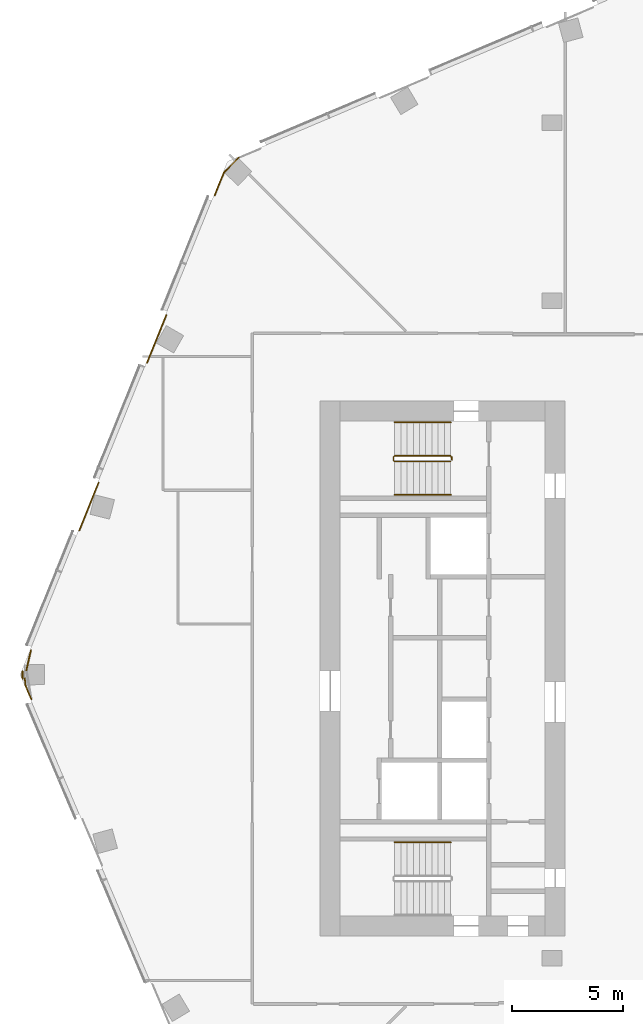
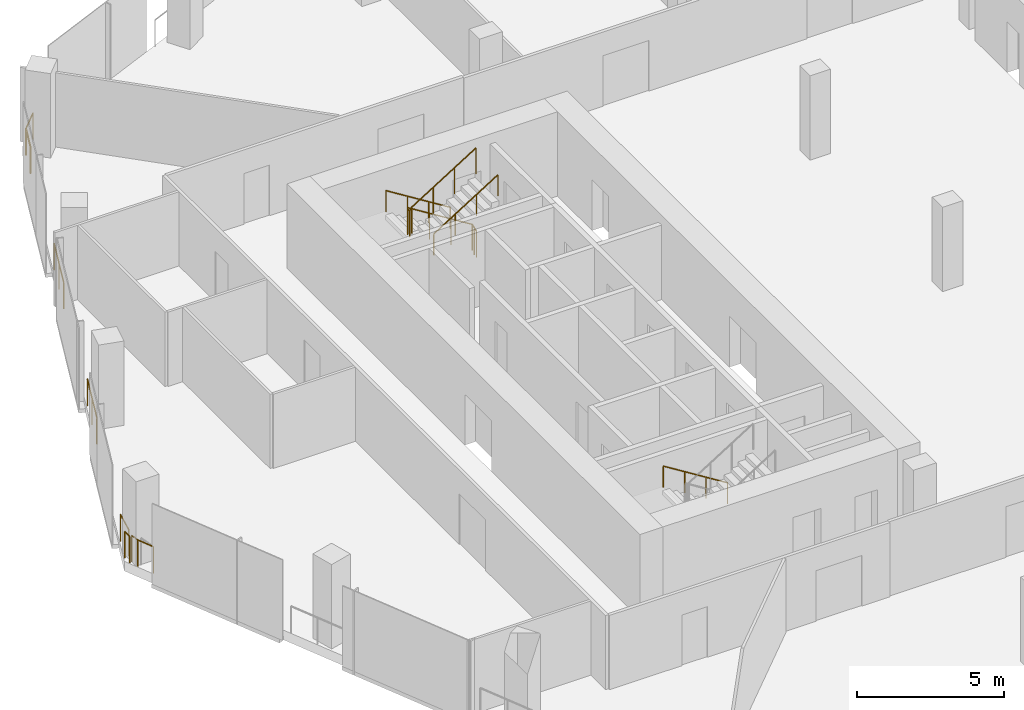
# One storey, part 24 of 26: 12 railings.
"""IFC4 building model written with IfcOpenShell, lengths in metres."""

from ifc_helpers import new_model, si_unit, direction, frame, origin, origin_2d, place, context, subcontext, project, spatial, circle, extrude, material, type_object, element, save


model = new_model("IFC4")

# Units and contexts
model_context = context("Model", 3, precision=1e-05, world=origin(), true_north=direction((0.0, 1.0)))
body_context = subcontext(model_context, "Body", "Model", "MODEL_VIEW")
ifc_project = project(units=[si_unit("LENGTHUNIT", "METRE"), si_unit("AREAUNIT", "SQUARE_METRE"), si_unit("VOLUMEUNIT", "CUBIC_METRE"), si_unit("PLANEANGLEUNIT", "RADIAN"), si_unit("MASSUNIT", "GRAM", prefix="KILO")], contexts=[model_context])

# Site, building, storey
site_placement = place(None, origin())
site = spatial("IfcSite", under=ifc_project, at=site_placement, CompositionType="ELEMENT")
building_placement = place(site_placement, origin())
building = spatial("IfcBuilding", under=site, at=building_placement, Name="Orlundy Tower", CompositionType="ELEMENT")
storey_placement = place(building_placement, frame((0.0, 0.0, 275.39990234375)))
storey = spatial("IfcBuildingStorey", under=building, at=storey_placement, Name="L73", CompositionType="ELEMENT", Elevation=275.39990234375)

# Railings
ifc_material_1 = material(Name="Steel balustrade", Category="steel")
railing_type_1 = type_object("IfcRailingType", Name="Stair Guard 1100", PredefinedType="GUARDRAIL", material=ifc_material_1)
railing_1_placement = place(storey_placement, frame((-13.090087890625, 9.5, 0.0)))
element("IfcRailing", 1, at=railing_1_placement, inside=storey, type_object=railing_type_1, Name="L73 ST-W1 stair guard 1", PredefinedType="GUARDRAIL", context=body_context, shape_type="SweptSolid", body=[
    extrude(circle(Radius=0.02392578125, at=origin_2d()), frame((0.0, 0.0, 1.076171875), z_axis=(0.0, -1.0, 0.0), x_axis=(1.0, 0.0, 0.0)), (0.0, 0.0, 1.0), 0.14990234375),
    extrude(circle(Radius=0.02392578125, at=origin_2d()), frame((0.0, -0.14990234375, 1.076171875), z_axis=(-0.18420542264, 0.739530593833, 0.647427882513), x_axis=(-0.970351222016, -0.241699205484, 0.0)), (0.0, 0.0, 1.0), 0.270263671875),
    extrude(circle(Radius=0.02392578125, at=origin_2d()), frame((-0.0498046875, 0.050048828125, 1.2509765625), z_axis=(-0.848007534815, 0.0, 0.529984170421), x_axis=(0.0, -1.0, 0.0)), (0.0, 0.0, 1.0), 2.9716796875),
    extrude(circle(Radius=0.02392578125, at=origin_2d()), frame((-2.56982421875, 0.050048828125, 2.826171875), z_axis=(-0.707106781187, -0.707106781187, 0.0), x_axis=(0.707106781187, -0.707106781187, 0.0)), (0.0, 0.0, 1.0), 0.07080078125),
    extrude(circle(Radius=0.02392578125, at=origin_2d()), frame((-2.619873046875, 0.0, 2.826171875), z_axis=(0.0, -1.0, 0.0), x_axis=(1.0, 0.0, 0.0)), (0.0, 0.0, 1.0), 0.14990234375),
    extrude(circle(Radius=0.02392578125, at=origin_2d()), frame((-2.619873046875, -0.14990234375, 2.826171875), z_axis=(0.265065253269, -0.265065253269, 0.927081885822), x_axis=(0.707106781187, 0.707106781187, 0.0)), (0.0, 0.0, 1.0), 0.188720703125),
    extrude(circle(Radius=0.02392578125, at=origin_2d()), frame((-2.56982421875, -0.199951171875, 3.0009765625), z_axis=(0.848007534815, 0.0, 0.529984170421), x_axis=(0.0, 1.0, 0.0)), (0.0, 0.0, 1.0), 2.9716796875),
    extrude(circle(Radius=0.02099609375, at=origin_2d()), origin(), (0.0, 0.0, 1.0), 1.052001953125),
    extrude(circle(Radius=0.02099609375, at=origin_2d()), frame((0.0, -0.14990234375, 0.0)), (0.0, 0.0, 1.0), 1.052001953125),
    extrude(circle(Radius=0.02099609375, at=origin_2d()), frame((-0.0498046875, 0.050048828125, 0.175048828125)), (0.0, 0.0, 1.0), 1.052001953125),
    extrude(circle(Radius=0.02099609375, at=origin_2d()), frame((-0.889892578125, 0.050048828125, 0.699951171875)), (0.0, 0.0, 1.0), 1.052001953125),
    extrude(circle(Radius=0.02099609375, at=origin_2d()), frame((-1.729736328125, 0.050048828125, 1.22509765625)), (0.0, 0.0, 1.0), 1.052001953125),
    extrude(circle(Radius=0.02099609375, at=origin_2d()), frame((-2.56982421875, 0.050048828125, 1.75)), (0.0, 0.0, 1.0), 1.052001953125),
    extrude(circle(Radius=0.02099609375, at=origin_2d()), frame((-2.619873046875, 0.0, 1.75)), (0.0, 0.0, 1.0), 1.052001953125),
    extrude(circle(Radius=0.02099609375, at=origin_2d()), frame((-2.619873046875, -0.14990234375, 1.75)), (0.0, 0.0, 1.0), 1.052001953125),
    extrude(circle(Radius=0.02099609375, at=origin_2d()), frame((-2.56982421875, -0.199951171875, 1.925048828125)), (0.0, 0.0, 1.0), 1.052001953125),
    extrude(circle(Radius=0.02099609375, at=origin_2d()), frame((-1.729736328125, -0.199951171875, 2.449951171875)), (0.0, 0.0, 1.0), 1.052001953125),
    extrude(circle(Radius=0.02099609375, at=origin_2d()), frame((-0.889892578125, -0.199951171875, 2.97509765625)), (0.0, 0.0, 1.0), 1.052001953125),
    extrude(circle(Radius=0.02099609375, at=origin_2d()), frame((-0.0498046875, -0.199951171875, 3.5)), (0.0, 0.0, 1.0), 1.052001953125),
])
ifc_material_2 = material(Name="Steel handrail", Category="steel")
railing_type_2 = type_object("IfcRailingType", Name="Stair Handrail 900", PredefinedType="HANDRAIL", material=ifc_material_2)
railing_2_placement = place(storey_placement, frame((-13.139892578125, 11.050048828125, 0.175048828125)))
element("IfcRailing", 2, at=railing_2_placement, inside=storey, type_object=railing_type_2, Name="L73 ST-W1 stair handrail 1", PredefinedType="HANDRAIL", context=body_context, shape_type="SweptSolid", body=[
    extrude(circle(Radius=0.02392578125, at=origin_2d()), frame((0.0, 0.0, 0.8759765625), z_axis=(-0.848007534815, 0.0, 0.529984170421), x_axis=(0.0, -1.0, 0.0)), (0.0, 0.0, 1.0), 2.9716796875),
    extrude(circle(Radius=0.02099609375, at=origin_2d()), origin(), (0.0, 0.0, 1.0), 0.851806640625),
    extrude(circle(Radius=0.02099609375, at=origin_2d()), frame((-0.840087890625, 0.0, 0.52490234375)), (0.0, 0.0, 1.0), 0.851806640625),
    extrude(circle(Radius=0.02099609375, at=origin_2d()), frame((-1.679931640625, 0.0, 1.050048828125)), (0.0, 0.0, 1.0), 0.851806640625),
    extrude(circle(Radius=0.02099609375, at=origin_2d()), frame((-2.52001953125, 0.0, 1.574951171875)), (0.0, 0.0, 1.0), 0.851806640625),
])
railing_3_placement = place(storey_placement, frame((-15.659912109375, 7.800048828125, 1.925048828125)))
element("IfcRailing", 3, at=railing_3_placement, inside=storey, type_object=railing_type_2, Name="L73 ST-W1 stair handrail 2", PredefinedType="HANDRAIL", context=body_context, shape_type="SweptSolid", body=[
    extrude(circle(Radius=0.02392578125, at=origin_2d()), frame((0.0, 0.0, 0.8759765625), z_axis=(0.848007534815, 0.0, 0.529984170421), x_axis=(0.0, 1.0, 0.0)), (0.0, 0.0, 1.0), 2.9716796875),
    extrude(circle(Radius=0.02099609375, at=origin_2d()), origin(), (0.0, 0.0, 1.0), 0.851806640625),
    extrude(circle(Radius=0.02099609375, at=origin_2d()), frame((0.840087890625, 0.0, 0.52490234375)), (0.0, 0.0, 1.0), 0.851806640625),
    extrude(circle(Radius=0.02099609375, at=origin_2d()), frame((1.679931640625, 0.0, 1.050048828125)), (0.0, 0.0, 1.0), 0.851806640625),
    extrude(circle(Radius=0.02099609375, at=origin_2d()), frame((2.52001953125, 0.0, 1.574951171875)), (0.0, 0.0, 1.0), 0.851806640625),
])
railing_4_placement = place(storey_placement, frame((-13.139892578125, -7.800048828125, 0.175048828125)))
element("IfcRailing", 4, at=railing_4_placement, inside=storey, type_object=railing_type_2, Name="L73 ST-W2 stair handrail 1", PredefinedType="HANDRAIL", context=body_context, shape_type="SweptSolid", body=[
    extrude(circle(Radius=0.02392578125, at=origin_2d()), frame((0.0, 0.0, 0.8759765625), z_axis=(-0.848007534815, 0.0, 0.529984170421), x_axis=(0.0, -1.0, 0.0)), (0.0, 0.0, 1.0), 2.9716796875),
    extrude(circle(Radius=0.02099609375, at=origin_2d()), origin(), (0.0, 0.0, 1.0), 0.851806640625),
    extrude(circle(Radius=0.02099609375, at=origin_2d()), frame((-0.840087890625, 0.0, 0.52490234375)), (0.0, 0.0, 1.0), 0.851806640625),
    extrude(circle(Radius=0.02099609375, at=origin_2d()), frame((-1.679931640625, 0.0, 1.050048828125)), (0.0, 0.0, 1.0), 0.851806640625),
    extrude(circle(Radius=0.02099609375, at=origin_2d()), frame((-2.52001953125, 0.0, 1.574951171875)), (0.0, 0.0, 1.0), 0.851806640625),
])
ifc_material_3 = material(Name="Stainless steel bronze finish", Category="steel")
railing_type_3 = type_object("IfcRailingType", Name="TG1 terrace guard", PredefinedType="GUARDRAIL", material=ifc_material_3)
railing_5_placement = place(storey_placement, frame((-26.77294921875, 13.71337890625, 0.0)))
element("IfcRailing", 5, at=railing_5_placement, inside=storey, type_object=railing_type_3, Name="Guard TG-L73-E04", PredefinedType="GUARDRAIL", context=body_context, shape_type="SweptSolid", body=[
    extrude(circle(Radius=0.02490234375, at=origin_2d()), frame((0.0, 0.0, 1.09521484375), z_axis=(0.37465260061, 0.927165265126, 0.0), x_axis=(-0.927165265126, 0.37465260061, 0.0)), (0.0, 0.0, 1.0), 2.321044921875),
    extrude(circle(Radius=0.02001953125, at=origin_2d()), origin(), (0.0, 0.0, 1.0), 1.070068359375),
    extrude(circle(Radius=0.02001953125, at=origin_2d()), frame((0.434814453125, 1.076171875, 0.0)), (0.0, 0.0, 1.0), 1.070068359375),
    extrude(circle(Radius=0.02001953125, at=origin_2d()), frame((0.86962890625, 2.152099609375, 0.0)), (0.0, 0.0, 1.0), 1.070068359375),
])
railing_6_placement = place(storey_placement, frame((-29.806640625, 6.20458984375, 0.0)))
element("IfcRailing", 6, at=railing_6_placement, inside=storey, type_object=railing_type_3, Name="Guard TG-L73-E09", PredefinedType="GUARDRAIL", context=body_context, shape_type="SweptSolid", body=[
    extrude(circle(Radius=0.02490234375, at=origin_2d()), frame((0.0, 0.0, 1.09521484375), z_axis=(0.374589337268, 0.927190826316, 0.0), x_axis=(-0.927190826316, 0.374589337268, 0.0)), (0.0, 0.0, 1.0), 2.30126953125),
    extrude(circle(Radius=0.02001953125, at=origin_2d()), origin(), (0.0, 0.0, 1.0), 1.070068359375),
    extrude(circle(Radius=0.02001953125, at=origin_2d()), frame((0.43115234375, 1.06689453125, 0.0)), (0.0, 0.0, 1.0), 1.070068359375),
    extrude(circle(Radius=0.02001953125, at=origin_2d()), frame((0.862060546875, 2.1337890625, 0.0)), (0.0, 0.0, 1.0), 1.070068359375),
])
railing_7_placement = place(storey_placement, frame((-23.735595703125, 21.230712890625, 0.0)))
element("IfcRailing", 7, at=railing_7_placement, inside=storey, type_object=railing_type_3, Name="Guard TG-L73-E021", PredefinedType="GUARDRAIL", context=body_context, shape_type="SweptSolid", body=[
    extrude(circle(Radius=0.02490234375, at=origin_2d()), frame((0.0, 0.0, 1.09521484375), z_axis=(0.374532917486, 0.92721361817, 0.0), x_axis=(-0.92721361817, 0.374532917486, 0.0)), (0.0, 0.0, 1.0), 1.09765625),
    extrude(circle(Radius=0.02001953125, at=origin_2d()), origin(), (0.0, 0.0, 1.0), 1.070068359375),
    extrude(circle(Radius=0.02001953125, at=origin_2d()), frame((0.4111328125, 1.017822265625, 0.0)), (0.0, 0.0, 1.0), 1.070068359375),
])
railing_8_placement = place(storey_placement, frame((-23.324462890625, 22.24853515625, 0.0)))
element("IfcRailing", 8, at=railing_8_placement, inside=storey, type_object=railing_type_3, Name="Guard TG-L73-E024", PredefinedType="GUARDRAIL", context=body_context, shape_type="SweptSolid", body=[
    extrude(circle(Radius=0.02490234375, at=origin_2d()), frame((0.0, 0.0, 1.09521484375), z_axis=(0.701234739103, 0.712930459915, 0.0), x_axis=(-0.712930459915, 0.701234739103, 0.0)), (0.0, 0.0, 1.0), 0.960205078125),
    extrude(circle(Radius=0.02001953125, at=origin_2d()), origin(), (0.0, 0.0, 1.0), 1.070068359375),
    extrude(circle(Radius=0.02001953125, at=origin_2d()), frame((0.67333984375, 0.6845703125, 0.0)), (0.0, 0.0, 1.0), 1.070068359375),
])
railing_9_placement = place(storey_placement, frame((-32.18505859375, -0.083740234375, 0.0)))
element("IfcRailing", 9, at=railing_9_placement, inside=storey, type_object=railing_type_3, Name="Guard TG-L73-E026", PredefinedType="GUARDRAIL", context=body_context, shape_type="SweptSolid", body=[
    extrude(circle(Radius=0.02490234375, at=origin_2d()), frame((0.0, 0.0, 1.09521484375), z_axis=(0.21946216196, 0.975621012211, 0.0), x_axis=(-0.975621012211, 0.21946216196, 0.0)), (0.0, 0.0, 1.0), 0.928955078125),
    extrude(circle(Radius=0.02001953125, at=origin_2d()), origin(), (0.0, 0.0, 1.0), 1.070068359375),
    extrude(circle(Radius=0.02001953125, at=origin_2d()), frame((0.203857421875, 0.90625, 0.0)), (0.0, 0.0, 1.0), 1.070068359375),
])
railing_10_placement = place(storey_placement, frame((-31.9638671875, -1.37548828125, 0.0)))
element("IfcRailing", 10, at=railing_10_placement, inside=storey, type_object=railing_type_3, Name="Guard TG-L73-E030", PredefinedType="GUARDRAIL", context=body_context, shape_type="SweptSolid", body=[
    extrude(circle(Radius=0.02490234375, at=origin_2d()), frame((0.0, 0.0, 1.09521484375), z_axis=(-0.390559246954, 0.920577793898, 0.0), x_axis=(-0.920577793898, -0.390559246954, 0.0)), (0.0, 0.0, 1.0), 0.6669921875),
    extrude(circle(Radius=0.02001953125, at=origin_2d()), origin(), (0.0, 0.0, 1.0), 1.070068359375),
    extrude(circle(Radius=0.02001953125, at=origin_2d()), frame((-0.260498046875, 0.614013671875, 0.0)), (0.0, 0.0, 1.0), 1.070068359375),
])
railing_11_placement = place(storey_placement, frame((-32.35595703125, -0.451416015625, 0.0)))
element("IfcRailing", 11, at=railing_11_placement, inside=storey, type_object=railing_type_3, Name="Guard TG-L73-E031", PredefinedType="GUARDRAIL", context=body_context, shape_type="SweptSolid", body=[
    extrude(circle(Radius=0.02490234375, at=origin_2d()), frame((0.0, 0.0, 1.09521484375), z_axis=(-0.008645210053, 0.999962629473, 0.0), x_axis=(-0.999962629473, -0.008645210053, 0.0)), (0.0, 0.0, 1.0), 0.3388671875),
    extrude(circle(Radius=0.02001953125, at=origin_2d()), origin(), (0.0, 0.0, 1.0), 1.070068359375),
    extrude(circle(Radius=0.02001953125, at=origin_2d()), frame((-0.0029296875, 0.3388671875, 0.0)), (0.0, 0.0, 1.0), 1.070068359375),
])
railing_12_placement = place(storey_placement, frame((-32.224365234375, -0.761474609375, 0.0)))
element("IfcRailing", 12, at=railing_12_placement, inside=storey, type_object=railing_type_3, Name="Guard TG-L73-E034", PredefinedType="GUARDRAIL", context=body_context, shape_type="SweptSolid", body=[
    extrude(circle(Radius=0.02490234375, at=origin_2d()), frame((0.0, 0.0, 1.09521484375), z_axis=(-0.100844848724, 0.994902164278, 0.0), x_axis=(-0.994902164278, -0.100844848724, 0.0)), (0.0, 0.0, 1.0), 0.324462890625),
    extrude(circle(Radius=0.02001953125, at=origin_2d()), origin(), (0.0, 0.0, 1.0), 1.070068359375),
    extrude(circle(Radius=0.02001953125, at=origin_2d()), frame((-0.03271484375, 0.32275390625, 0.0)), (0.0, 0.0, 1.0), 1.070068359375),
])

save(model, "model.ifc")
